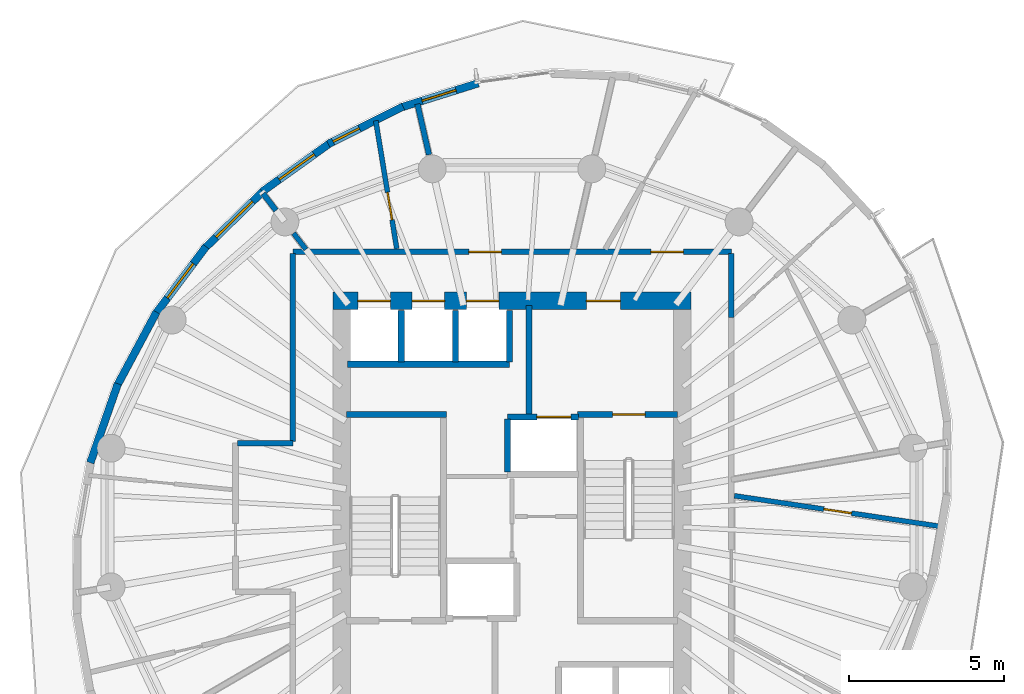
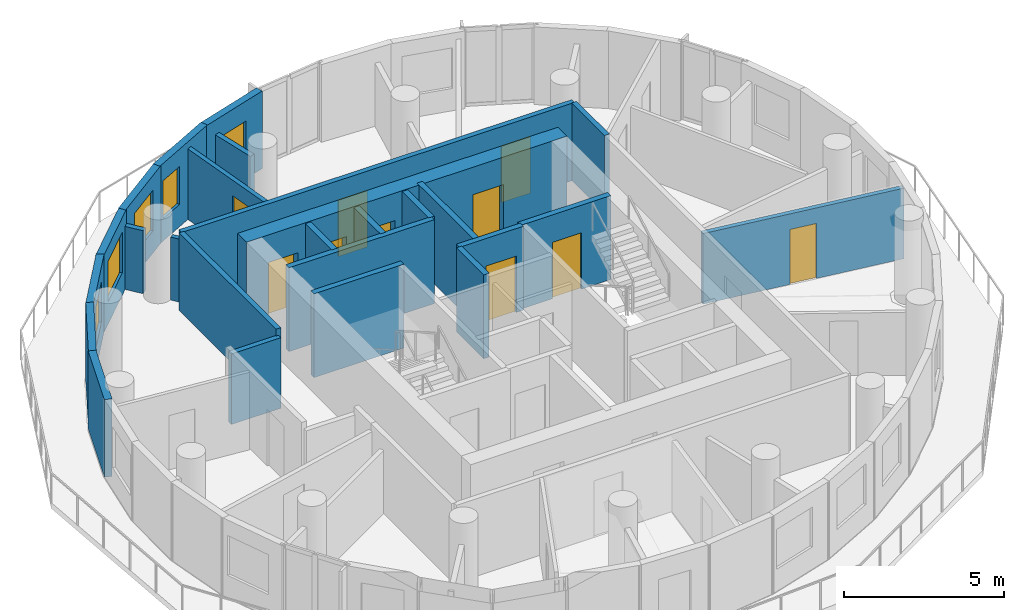
# One storey, part 6 of 10: 26 walls, 11 doors, 4 windows, 15 openings.
"""IFC4 building model written with IfcOpenShell, lengths in metres."""

from ifc_helpers import new_model, si_unit, direction, frame, frame_2d, origin, place, context, subcontext, project, spatial, rectangle, extrude, material, layer, layer_set, type_object, element, fill, save


model = new_model("IFC4")

# Units and contexts
model_context = context("Model", 3, precision=1e-05, world=origin(), true_north=direction((0.0, 1.0)))
body_context = subcontext(model_context, "Body", "Model", "MODEL_VIEW")
ifc_project = project(units=[si_unit("LENGTHUNIT", "METRE"), si_unit("AREAUNIT", "SQUARE_METRE"), si_unit("VOLUMEUNIT", "CUBIC_METRE"), si_unit("PLANEANGLEUNIT", "RADIAN"), si_unit("MASSUNIT", "GRAM", prefix="KILO")], contexts=[model_context])

# Site, building, storey
site_placement = place(None, origin())
site = spatial("IfcSite", under=ifc_project, at=site_placement, CompositionType="ELEMENT")
building_placement = place(site_placement, origin())
building = spatial("IfcBuilding", under=site, at=building_placement, Name="Veldorim Arch Residences", CompositionType="ELEMENT")
storey_placement = place(building_placement, frame((0.0, 0.0, 195.0400390625)))
storey = spatial("IfcBuildingStorey", under=building, at=storey_placement, Name="L58", CompositionType="ELEMENT", Elevation=195.0400390625)

# Walls
ifc_material_1 = material(Name="Lightweight Masonry Block & Gypsum", Category="masonry")
ifc_layer_1 = layer(ifc_material_1, 0.179931640625, Name="Compartment & Corridor Fire-Rated Party Wall 180")
ifc_layer_set_1 = layer_set([ifc_layer_1], Name="Lightweight Masonry Block & Gypsum")
wall_type_1 = type_object("IfcWallType", Name="Compartment & Corridor Fire-Rated Party Wall 180", PredefinedType="PARTITIONING", material=ifc_layer_set_1)
wall_1_placement = place(storey_placement, frame((29.320068359375, 35.717529296875, 0.0), z_axis=(0.0, 0.0, 1.0), x_axis=(-0.222978827263, 0.97482328788, 0.0)))
element("IfcWall", 1, at=wall_1_placement, inside=storey, type_object=wall_type_1, Name="L58 interior wall WL-PIER-L58-05", PredefinedType="PARTITIONING", context=body_context, shape_type="SweptSolid", body=[
    extrude(rectangle(XDim=1.678466796875, YDim=0.179931640625, at=frame_2d((0.83935546875, 0.0))), origin(), (0.0, 0.0, 1.0), 2.4033203125),
])
wall_2_placement = place(storey_placement, frame((24.380126953125, 33.91796875, 0.0), z_axis=(0.0, 0.0, 1.0), x_axis=(-0.60904199592, 0.793137974885, 0.0)))
element("IfcWall", 2, at=wall_2_placement, inside=storey, type_object=wall_type_1, Name="L58 interior wall WL-PIER-L58-06", PredefinedType="PARTITIONING", context=body_context, shape_type="SweptSolid", body=[
    extrude(rectangle(XDim=0.688232421875, YDim=0.179931640625, at=frame_2d((0.34423828125, 0.0))), origin(), (0.0, 0.0, 1.0), 2.4033203125),
])

# Wall, openings, doors
wall_3_placement = place(storey_placement, frame((24.919921875, 32.580078125, 0.0), z_axis=(0.0, 0.0, 1.0), x_axis=(1.0, 0.0, 0.0)))
wall_3 = element("IfcWall", 3, at=wall_3_placement, inside=storey, type_object=wall_type_1, Name="L58 interior wall WL-RES-L58-004", PredefinedType="PARTITIONING", context=body_context, shape_type="SweptSolid", body=[
    extrude(rectangle(XDim=14.16015625, YDim=0.179931640625, at=frame_2d((7.080078125, 0.0))), origin(), (0.0, 0.0, 1.0), 2.955078125),
])
opening_1_placement = place(wall_3_placement, frame((11.562744140625, 0.0, 0.0)))
opening_1 = element("IfcOpeningElement", 4, at=opening_1_placement, cuts=wall_3, Name="Opening DR-FLT", PredefinedType="OPENING", context=body_context, shape_type="SweptSolid", body=[
    extrude(rectangle(XDim=1.050048828125, YDim=2.14990234375, at=frame_2d((0.52490234375, 1.074951171875))), frame((0.0, 0.099853515625, 0.0), z_axis=(0.0, -1.0, 0.0), x_axis=(1.0, 0.0, 0.0)), (0.0, 0.0, 1.0), 0.199951171875),
])
opening_2_placement = place(wall_3_placement, frame((5.684326171875, 0.0, 0.0)))
opening_2 = element("IfcOpeningElement", 5, at=opening_2_placement, cuts=wall_3, Name="Opening DR-FLT", PredefinedType="OPENING", context=body_context, shape_type="SweptSolid", body=[
    extrude(rectangle(XDim=1.050048828125, YDim=2.14990234375, at=frame_2d((0.52490234375, 1.074951171875))), frame((0.0, 0.099853515625, 0.0), z_axis=(0.0, -1.0, 0.0), x_axis=(1.0, 0.0, 0.0)), (0.0, 0.0, 1.0), 0.199951171875),
])
ifc_material_2 = material(Name="Fire-Rated Timber", Category="wood")
door_type_1 = type_object("IfcDoorType", Name="Apartment Entrance Solid-Core Fire Door 1050x2150", OperationType="SINGLE_SWING_LEFT", PredefinedType="DOOR", material=ifc_material_2)
door_1_placement = place(opening_1_placement, origin())
door_1 = element("IfcDoor", 6, at=door_1_placement, inside=storey, type_object=door_type_1, Name="L58 interior door DR-RES-L58-007", OperationType="SINGLE_SWING_LEFT", OverallHeight=2.14990234375, OverallWidth=1.050048828125, PredefinedType="DOOR", context=body_context, shape_type="SweptSolid", body=[
    extrude(rectangle(XDim=1.050048828125, YDim=2.14990234375, at=frame_2d((0.52490234375, 1.074951171875))), frame((0.0, 0.02490234375, 0.0), z_axis=(0.0, -1.0, 0.0), x_axis=(1.0, 0.0, 0.0)), (0.0, 0.0, 1.0), 0.050048828125),
])
fill(opening_1, door_1)
door_2_placement = place(opening_2_placement, origin())
door_2 = element("IfcDoor", 7, at=door_2_placement, inside=storey, type_object=door_type_1, Name="L58 interior door DR-RES-L58-011", OperationType="SINGLE_SWING_LEFT", OverallHeight=2.14990234375, OverallWidth=1.050048828125, PredefinedType="DOOR", context=body_context, shape_type="SweptSolid", body=[
    extrude(rectangle(XDim=1.050048828125, YDim=2.14990234375, at=frame_2d((0.52490234375, 1.074951171875))), frame((0.0, 0.02490234375, 0.0), z_axis=(0.0, -1.0, 0.0), x_axis=(1.0, 0.0, 0.0)), (0.0, 0.0, 1.0), 0.050048828125),
])
fill(opening_2, door_2)

# Walls
wall_4_placement = place(storey_placement, frame((39.080078125, 32.52001953125, 0.0), z_axis=(0.0, 0.0, 1.0), x_axis=(0.0, -1.0, 0.0)))
element("IfcWall", 8, at=wall_4_placement, inside=storey, type_object=wall_type_1, Name="L58 interior wall WL-RES-L58-005", PredefinedType="PARTITIONING", context=body_context, shape_type="SweptSolid", body=[
    extrude(rectangle(XDim=2.058837890625, YDim=0.179931640625, at=frame_2d((1.029296875, 0.0))), origin(), (0.0, 0.0, 1.0), 2.955078125),
])
wall_5_placement = place(storey_placement, frame((23.1298828125, 26.39990234375, 0.0), z_axis=(0.0, 0.0, 1.0), x_axis=(1.0, 0.0, 0.0)))
element("IfcWall", 9, at=wall_5_placement, inside=storey, type_object=wall_type_1, Name="L58 interior wall WL-RES-L58-009", PredefinedType="PARTITIONING", context=body_context, shape_type="SweptSolid", body=[
    extrude(rectangle(XDim=1.7900390625, YDim=0.179931640625, at=frame_2d((0.89501953125, 0.0))), origin(), (0.0, 0.0, 1.0), 2.69189453125),
])
wall_6_placement = place(storey_placement, frame((24.919921875, 26.4599609375, 0.0), z_axis=(0.0, 0.0, 1.0), x_axis=(0.0, 1.0, 0.0)))
element("IfcWall", 10, at=wall_6_placement, inside=storey, type_object=wall_type_1, Name="L58 interior wall WL-RES-L58-010", PredefinedType="PARTITIONING", context=body_context, shape_type="SweptSolid", body=[
    extrude(rectangle(XDim=6.06005859375, YDim=0.179931640625, at=frame_2d((3.030029296875, 0.0))), origin(), (0.0, 0.0, 1.0), 2.955078125),
])
ifc_material_3 = material(Name="Concrete C50/60", Category="concrete")
ifc_layer_2 = layer(ifc_material_3, 0.199951171875, Name="Core Stair & Lift Shaft Enclosure Wall 200")
ifc_layer_set_2 = layer_set([ifc_layer_2], Name="Concrete C50/60")
wall_type_2 = type_object("IfcWallType", Name="Core Stair & Lift Shaft Enclosure Wall 200", PredefinedType="SHEAR", material=ifc_layer_set_2)
wall_7_placement = place(storey_placement, frame((26.64990234375, 27.330078125, 0.0), z_axis=(0.0, 0.0, 1.0), x_axis=(1.0, 0.0, 0.0)))
element("IfcWall", 11, at=wall_7_placement, inside=storey, type_object=wall_type_2, Name="L58 shaft wall WL-SHF-L58-ST1-N", PredefinedType="SHEAR", context=body_context, shape_type="SweptSolid", body=[
    extrude(rectangle(XDim=3.239990234375, YDim=0.199951171875, at=frame_2d((1.6201171875, 0.0))), origin(), (0.0, 0.0, 1.0), 3.199951171875),
])

# Wall, opening, door
wall_8_placement = place(storey_placement, frame((34.110107421875, 27.330078125, 0.0), z_axis=(0.0, 0.0, 1.0), x_axis=(1.0, 0.0, 0.0)))
wall_8 = element("IfcWall", 12, at=wall_8_placement, inside=storey, type_object=wall_type_2, Name="L58 shaft wall WL-SHF-L58-ST2-N", PredefinedType="SHEAR", context=body_context, shape_type="SweptSolid", body=[
    extrude(rectangle(XDim=3.239990234375, YDim=0.199951171875, at=frame_2d((1.6201171875, 0.0))), origin(), (0.0, 0.0, 1.0), 3.199951171875),
])
opening_3_placement = place(wall_8_placement, frame((1.135009765625, 0.0, 0.0)))
opening_3 = element("IfcOpeningElement", 13, at=opening_3_placement, cuts=wall_8, Name="Opening DR-ST", PredefinedType="OPENING", context=body_context, shape_type="SweptSolid", body=[
    extrude(rectangle(XDim=1.050048828125, YDim=2.14990234375, at=frame_2d((0.52490234375, 1.074951171875))), frame((0.0, 0.10986328125, 0.0), z_axis=(0.0, -1.0, 0.0), x_axis=(1.0, 0.0, 0.0)), (0.0, 0.0, 1.0), 0.219970703125),
])
ifc_material_4 = material(Name="Fire-Rated Steel", Category="steel")
door_type_2 = type_object("IfcDoorType", Name="Exit Staircase Self-Closing Fire Door 1050x2150", OperationType="SINGLE_SWING_LEFT", PredefinedType="DOOR", material=ifc_material_4)
door_3_placement = place(opening_3_placement, origin())
door_3 = element("IfcDoor", 14, at=door_3_placement, inside=storey, type_object=door_type_2, Name="L58 interior door DR-L58-ST2", OperationType="SINGLE_SWING_RIGHT", OverallHeight=2.14990234375, OverallWidth=1.050048828125, PredefinedType="DOOR", context=body_context, shape_type="SweptSolid", body=[
    extrude(rectangle(XDim=1.050048828125, YDim=2.14990234375, at=frame_2d((0.52490234375, 1.074951171875))), frame((0.0, 0.02490234375, 0.0), z_axis=(0.0, -1.0, 0.0), x_axis=(1.0, 0.0, 0.0)), (0.0, 0.0, 1.0), 0.050048828125),
])
fill(opening_3, door_3)

# Wall
wall_9_placement = place(storey_placement, frame((32.550048828125, 27.35009765625, 0.0), z_axis=(0.0, 0.0, 1.0), x_axis=(0.0, 1.0, 0.0)))
element("IfcWall", 15, at=wall_9_placement, inside=storey, type_object=wall_type_2, Name="L58 shaft wall WL-FFL2-L58-W", PredefinedType="SHEAR", context=body_context, shape_type="SweptSolid", body=[
    extrude(rectangle(XDim=3.5, YDim=0.199951171875, at=frame_2d((1.75, 0.0))), origin(), (0.0, 0.0, 1.0), 3.199951171875),
])

# Wall, opening, door
wall_10_placement = place(storey_placement, frame((31.85009765625, 27.25, 0.0), z_axis=(0.0, 0.0, 1.0), x_axis=(1.0, 0.0, 0.0)))
wall_10 = element("IfcWall", 16, at=wall_10_placement, inside=storey, type_object=wall_type_2, Name="L58 shaft wall WL-FL02-L58-N", PredefinedType="SHEAR", context=body_context, shape_type="SweptSolid", body=[
    extrude(rectangle(XDim=2.2998046875, YDim=0.199951171875, at=frame_2d((1.14990234375, 0.0))), origin(), (0.0, 0.0, 1.0), 3.199951171875),
])
opening_4_placement = place(wall_10_placement, frame((0.949951171875, 0.0, 0.0)))
opening_4 = element("IfcOpeningElement", 17, at=opening_4_placement, cuts=wall_10, Name="Opening LD-FF", PredefinedType="OPENING", context=body_context, shape_type="SweptSolid", body=[
    extrude(rectangle(XDim=1.10009765625, YDim=2.14990234375, at=frame_2d((0.550048828125, 1.074951171875))), frame((0.0, 0.10986328125, 0.0), z_axis=(0.0, -1.0, 0.0), x_axis=(1.0, 0.0, 0.0)), (0.0, 0.0, 1.0), 0.219970703125),
])
ifc_material_5 = material(Name="Stainless Steel", Category="steel")
door_type_3 = type_object("IfcDoorType", Name="Firefighting Lift Bi-Parting Sliding Landing Door 1100x2150", OperationType="DOUBLE_DOOR_SLIDING", PredefinedType="DOOR", material=ifc_material_5)
door_4_placement = place(opening_4_placement, origin())
door_4 = element("IfcDoor", 18, at=door_4_placement, inside=storey, type_object=door_type_3, Name="L58 lift landing door LD-L58-FL02", OperationType="DOUBLE_DOOR_SLIDING", OverallHeight=2.14990234375, OverallWidth=1.10009765625, PredefinedType="DOOR", context=body_context, shape_type="SweptSolid", body=[
    extrude(rectangle(XDim=1.10009765625, YDim=2.14990234375, at=frame_2d((0.550048828125, 1.074951171875))), frame((0.0, 0.02490234375, 0.0), z_axis=(0.0, -1.0, 0.0), x_axis=(1.0, 0.0, 0.0)), (0.0, 0.0, 1.0), 0.050048828125),
])
fill(opening_4, door_4)

# Walls
wall_11_placement = place(storey_placement, frame((31.85009765625, 25.469970703125, 0.0), z_axis=(0.0, 0.0, 1.0), x_axis=(0.0, 1.0, 0.0)))
element("IfcWall", 19, at=wall_11_placement, inside=storey, type_object=wall_type_2, Name="L58 shaft wall WL-FL02-L58-W", PredefinedType="SHEAR", context=body_context, shape_type="SweptSolid", body=[
    extrude(rectangle(XDim=1.7099609375, YDim=0.199951171875, at=frame_2d((0.85498046875, 0.0))), origin(), (0.0, 0.0, 1.0), 3.199951171875),
])
wall_12_placement = place(storey_placement, frame((26.679931640625, 28.949951171875, 0.0), z_axis=(0.0, 0.0, 1.0), x_axis=(1.0, 0.0, 0.0)))
element("IfcWall", 20, at=wall_12_placement, inside=storey, type_object=wall_type_2, Name="L58 shaft wall WL-B3-L58-S", PredefinedType="SHEAR", context=body_context, shape_type="SweptSolid", body=[
    extrude(rectangle(XDim=5.239990234375, YDim=0.199951171875, at=frame_2d((2.6201171875, 0.0))), origin(), (0.0, 0.0, 1.0), 3.199951171875),
])
for number, where, z_axis, x_axis, name in (
    (21, (31.919921875, 29.02001953125, 0.0), (0.0, 0.0, 1.0), (0.0, 1.0, 0.0), "L58 shaft wall WL-B3-L58-E"),
    (22, (28.425048828125, 29.02001953125, 0.0), (0.0, 0.0, 1.0), (0.0, 1.0, 0.0), "L58 shaft wall WL-B3-L58-D1"),
    (23, (30.175048828125, 29.02001953125, 0.0), (0.0, 0.0, 1.0), (0.0, 1.0, 0.0), "L58 shaft wall WL-B3-L58-D2"),
):
    element("IfcWall", number, at=place(storey_placement, frame(where, z_axis=z_axis, x_axis=x_axis)), inside=storey, type_object=wall_type_2, Name=name, PredefinedType="SHEAR", context=body_context, shape_type="SweptSolid", body=[
        extrude(rectangle(XDim=1.659912109375, YDim=0.199951171875, at=frame_2d((0.830078125, 0.0))), origin(), (0.0, 0.0, 1.0), 3.199951171875),
    ])

# Wall, opening, door
ifc_material_6 = material(Name="Precast concrete C40/50", Category="concrete")
ifc_layer_3 = layer(ifc_material_6, 0.25, Name="Tower Terracotta Spandrel & Pier Wall 250")
ifc_layer_set_3 = layer_set([ifc_layer_3], Name="Precast concrete C40/50")
wall_type_3 = type_object("IfcWallType", Name="Tower Terracotta Spandrel & Pier Wall 250", PredefinedType="SOLIDWALL", material=ifc_layer_set_3)
wall_13_placement = place(storey_placement, frame((28.379150390625, 37.234130859375, 0.0), z_axis=(0.0, 0.0, 1.0), x_axis=(0.954307768746, 0.298825505122, 0.0)))
wall_13 = element("IfcWall", 24, at=wall_13_placement, inside=storey, type_object=wall_type_3, Name="L58 terracotta facade wall 06", PredefinedType="SOLIDWALL", context=body_context, shape_type="SweptSolid", body=[
    extrude(rectangle(XDim=2.651123046875, YDim=0.25, at=frame_2d((1.32568359375, 0.0))), origin(), (0.0, 0.0, 1.0), 2.9599609375),
])
opening_5_placement = place(wall_13_placement, frame((0.7509765625, 0.0, 0.0)))
opening_5 = element("IfcOpeningElement", 25, at=opening_5_placement, cuts=wall_13, Name="Opening BL-DR", PredefinedType="OPENING", context=body_context, shape_type="SweptSolid", body=[
    extrude(rectangle(XDim=1.14990234375, YDim=2.199951171875, at=frame_2d((0.574951171875, 1.10009765625))), frame((0.0, 0.135009765625, 0.0), z_axis=(0.0, -1.0, 0.0), x_axis=(1.0, 0.0, 0.0)), (0.0, 0.0, 1.0), 0.27001953125),
])
ifc_material_7 = material(Name="Aluminium & Low-E Glass", Category="aluminium")
door_type_4 = type_object("IfcDoorType", Name="Glazed Planted Balcony Door 1150x2200", OperationType="SINGLE_SWING_LEFT", PredefinedType="DOOR", material=ifc_material_7)
door_5_placement = place(opening_5_placement, origin())
door_5 = element("IfcDoor", 26, at=door_5_placement, inside=storey, type_object=door_type_4, Name="L58 glazed outdoor terrace door BALC-1", OperationType="SINGLE_SWING_RIGHT", OverallHeight=2.199951171875, OverallWidth=1.14990234375, PredefinedType="DOOR", context=body_context, shape_type="SweptSolid", body=[
    extrude(rectangle(XDim=1.14990234375, YDim=2.199951171875, at=frame_2d((0.574951171875, 1.10009765625))), frame((0.0, 0.02490234375, 0.0), z_axis=(0.0, -1.0, 0.0), x_axis=(1.0, 0.0, 0.0)), (0.0, 0.0, 1.0), 0.050048828125),
])
fill(opening_5, door_5)

# Wall, opening, window
wall_14_placement = place(storey_placement, frame((26.06640625, 36.0634765625, 0.0), z_axis=(0.0, 0.0, 1.0), x_axis=(0.893757522153, 0.448550433724, 0.0)))
wall_14 = element("IfcWall", 27, at=wall_14_placement, inside=storey, type_object=wall_type_3, Name="L58 terracotta facade wall 07", PredefinedType="SOLIDWALL", context=body_context, shape_type="SweptSolid", body=[
    extrude(rectangle(XDim=2.701904296875, YDim=0.25, at=frame_2d((1.35107421875, 0.0))), origin(), (0.0, 0.0, 1.0), 2.9599609375),
])
opening_6_placement = place(wall_14_placement, frame((0.175048828125, 0.0, 0.85009765625)))
opening_6 = element("IfcOpeningElement", 28, at=opening_6_placement, cuts=wall_14, Name="Opening WN-05", PredefinedType="OPENING", context=body_context, shape_type="SweptSolid", body=[
    extrude(rectangle(XDim=0.949951171875, YDim=1.449951171875, at=frame_2d((0.47509765625, 0.72509765625))), frame((0.0, 0.135009765625, 0.0), z_axis=(0.0, -1.0, 0.0), x_axis=(1.0, 0.0, 0.0)), (0.0, 0.0, 1.0), 0.27001953125),
])
ifc_material_8 = material(Name="Laminated Low-E Glass", Category="glass")
window_type_1 = type_object("IfcWindowType", Name="Residential Compact Casement Window 950x1450", PartitioningType="SINGLE_PANEL", PredefinedType="WINDOW", material=ifc_material_8)
window_1_placement = place(opening_6_placement, origin())
window_1 = element("IfcWindow", 29, at=window_1_placement, inside=storey, type_object=window_type_1, Name="L58 solar-control facade window 07", OverallHeight=1.449951171875, OverallWidth=0.949951171875, PartitioningType="SINGLE_PANEL", PredefinedType="WINDOW", context=body_context, shape_type="SweptSolid", body=[
    extrude(rectangle(XDim=0.949951171875, YDim=1.449951171875, at=frame_2d((0.47509765625, 0.72509765625))), frame((0.0, 0.030029296875, 0.0), z_axis=(0.0, -1.0, 0.0), x_axis=(1.0, 0.0, 0.0)), (0.0, 0.0, 1.0), 0.06005859375),
])
fill(opening_6, window_1)

wall_15_placement = place(storey_placement, frame((23.93359375, 34.525634765625, 0.0), z_axis=(0.0, 0.0, 1.0), x_axis=(0.812997900305, 0.58226661771, 0.0)))
wall_15 = element("IfcWall", 30, at=wall_15_placement, inside=storey, type_object=wall_type_3, Name="L58 terracotta facade wall 08", PredefinedType="SOLIDWALL", context=body_context, shape_type="SweptSolid", body=[
    extrude(rectangle(XDim=2.738525390625, YDim=0.25, at=frame_2d((1.369140625, 0.0))), origin(), (0.0, 0.0, 1.0), 2.9599609375),
])
opening_7_placement = place(wall_15_placement, frame((0.6689453125, 0.0, 0.85009765625)))
opening_7 = element("IfcOpeningElement", 31, at=opening_7_placement, cuts=wall_15, Name="Opening WN-02", PredefinedType="OPENING", context=body_context, shape_type="SweptSolid", body=[
    extrude(rectangle(XDim=1.39990234375, YDim=1.550048828125, at=frame_2d((0.699951171875, 0.77490234375))), frame((0.0, 0.135009765625, 0.0), z_axis=(0.0, -1.0, 0.0), x_axis=(1.0, 0.0, 0.0)), (0.0, 0.0, 1.0), 0.27001953125),
])
ifc_material_9 = material(Name="Laminated Low-E Glass", Category="glass")
window_type_2 = type_object("IfcWindowType", Name="Residential Casement Window 1400x1550", PartitioningType="SINGLE_PANEL", PredefinedType="WINDOW", material=ifc_material_9)
window_2_placement = place(opening_7_placement, origin())
window_2 = element("IfcWindow", 32, at=window_2_placement, inside=storey, type_object=window_type_2, Name="L58 solar-control facade window 08", OverallHeight=1.550048828125, OverallWidth=1.39990234375, PartitioningType="SINGLE_PANEL", PredefinedType="WINDOW", context=body_context, shape_type="SweptSolid", body=[
    extrude(rectangle(XDim=1.39990234375, YDim=1.550048828125, at=frame_2d((0.699951171875, 0.77490234375))), frame((0.0, 0.030029296875, 0.0), z_axis=(0.0, -1.0, 0.0), x_axis=(1.0, 0.0, 0.0)), (0.0, 0.0, 1.0), 0.06005859375),
])
fill(opening_7, window_2)

wall_16_placement = place(storey_placement, frame((22.04541015625, 32.6669921875, 0.0), z_axis=(0.0, 0.0, 1.0), x_axis=(0.71485422762, 0.699273503898, 0.0)))
wall_16 = element("IfcWall", 33, at=wall_16_placement, inside=storey, type_object=wall_type_3, Name="L58 terracotta facade wall 09", PredefinedType="SOLIDWALL", context=body_context, shape_type="SweptSolid", body=[
    extrude(rectangle(XDim=2.7578125, YDim=0.25, at=frame_2d((1.37890625, 0.0))), origin(), (0.0, 0.0, 1.0), 2.9599609375),
])
opening_8_placement = place(wall_16_placement, frame((0.553955078125, 0.0, 0.85009765625)))
opening_8 = element("IfcOpeningElement", 34, at=opening_8_placement, cuts=wall_16, Name="Opening WN-03", PredefinedType="OPENING", context=body_context, shape_type="SweptSolid", body=[
    extrude(rectangle(XDim=1.64990234375, YDim=1.550048828125, at=frame_2d((0.824951171875, 0.77490234375))), frame((0.0, 0.135009765625, 0.0), z_axis=(0.0, -1.0, 0.0), x_axis=(1.0, 0.0, 0.0)), (0.0, 0.0, 1.0), 0.27001953125),
])
ifc_material_10 = material(Name="Laminated Low-E Glass", Category="glass")
window_type_3 = type_object("IfcWindowType", Name="Residential Wide Window 1650x1550", PartitioningType="SINGLE_PANEL", PredefinedType="WINDOW", material=ifc_material_10)
window_3_placement = place(opening_8_placement, origin())
window_3 = element("IfcWindow", 35, at=window_3_placement, inside=storey, type_object=window_type_3, Name="L58 solar-control facade window 09", OverallHeight=1.550048828125, OverallWidth=1.64990234375, PartitioningType="SINGLE_PANEL", PredefinedType="WINDOW", context=body_context, shape_type="SweptSolid", body=[
    extrude(rectangle(XDim=1.64990234375, YDim=1.550048828125, at=frame_2d((0.824951171875, 0.77490234375))), frame((0.0, 0.030029296875, 0.0), z_axis=(0.0, -1.0, 0.0), x_axis=(1.0, 0.0, 0.0)), (0.0, 0.0, 1.0), 0.06005859375),
])
fill(opening_8, window_3)

wall_17_placement = place(storey_placement, frame((20.4599609375, 30.5439453125, 0.0), z_axis=(0.0, 0.0, 1.0), x_axis=(0.600877762795, 0.799340924874, 0.0)))
wall_17 = element("IfcWall", 36, at=wall_17_placement, inside=storey, type_object=wall_type_3, Name="L58 terracotta facade wall 10", PredefinedType="SOLIDWALL", context=body_context, shape_type="SweptSolid", body=[
    extrude(rectangle(XDim=2.758056640625, YDim=0.25, at=frame_2d((1.37890625, 0.0))), origin(), (0.0, 0.0, 1.0), 2.9599609375),
])
opening_9_placement = place(wall_17_placement, frame((0.678955078125, 0.0, 0.85009765625)))
opening_9 = element("IfcOpeningElement", 37, at=opening_9_placement, cuts=wall_17, Name="Opening WN-02", PredefinedType="OPENING", context=body_context, shape_type="SweptSolid", body=[
    extrude(rectangle(XDim=1.39990234375, YDim=1.550048828125, at=frame_2d((0.699951171875, 0.77490234375))), frame((0.0, 0.135009765625, 0.0), z_axis=(0.0, -1.0, 0.0), x_axis=(1.0, 0.0, 0.0)), (0.0, 0.0, 1.0), 0.27001953125),
])
window_4_placement = place(opening_9_placement, origin())
window_4 = element("IfcWindow", 38, at=window_4_placement, inside=storey, type_object=window_type_2, Name="L58 solar-control facade window 10", OverallHeight=1.550048828125, OverallWidth=1.39990234375, PartitioningType="SINGLE_PANEL", PredefinedType="WINDOW", context=body_context, shape_type="SweptSolid", body=[
    extrude(rectangle(XDim=1.39990234375, YDim=1.550048828125, at=frame_2d((0.699951171875, 0.77490234375))), frame((0.0, 0.030029296875, 0.0), z_axis=(0.0, -1.0, 0.0), x_axis=(1.0, 0.0, 0.0)), (0.0, 0.0, 1.0), 0.06005859375),
])
fill(opening_9, window_4)

# Walls
wall_18_placement = place(storey_placement, frame((19.225830078125, 28.221435546875, 0.0), z_axis=(0.0, 0.0, 1.0), x_axis=(0.472035862223, 0.88157934684, 0.0)))
element("IfcWall", 39, at=wall_18_placement, inside=storey, type_object=wall_type_3, Name="L58 terracotta facade wall 11", PredefinedType="SOLIDWALL", context=body_context, shape_type="SweptSolid", body=[
    extrude(rectangle(XDim=2.738525390625, YDim=0.25, at=frame_2d((1.369140625, 0.0))), origin(), (0.0, 0.0, 1.0), 2.9599609375),
])
wall_19_placement = place(storey_placement, frame((18.380859375, 25.770263671875, 0.0), z_axis=(0.0, 0.0, 1.0), x_axis=(0.329021781096, 0.94432233245, 0.0)))
element("IfcWall", 40, at=wall_19_placement, inside=storey, type_object=wall_type_3, Name="L58 terracotta facade wall 12", PredefinedType="SOLIDWALL", context=body_context, shape_type="SweptSolid", body=[
    extrude(rectangle(XDim=2.70166015625, YDim=0.25, at=frame_2d((1.350830078125, 0.0))), origin(), (0.0, 0.0, 1.0), 2.9599609375),
])

# Wall, openings, doors
ifc_material_11 = material(Name="Concrete C50/60", Category="concrete")
ifc_layer_4 = layer(ifc_material_11, 0.5, Name="Upper Central Core Shear Wall 560")
ifc_layer_set_4 = layer_set([ifc_layer_4], Name="Concrete C50/60")
wall_type_4 = type_object("IfcWallType", Name="Upper Central Core Shear Wall 560", PredefinedType="SHEAR", material=ifc_layer_set_4)
wall_20_placement = place(storey_placement, frame((26.219970703125, 31.0, 0.0), z_axis=(0.0, 0.0, 1.0), x_axis=(1.0, 0.0, 0.0)))
wall_20 = element("IfcWall", 41, at=wall_20_placement, inside=storey, type_object=wall_type_4, Name="L58 central core north shear wall", PredefinedType="SHEAR", context=body_context, shape_type="SweptSolid", body=[
    extrude(rectangle(XDim=11.56005859375, YDim=0.56005859375, at=frame_2d((5.780029296875, 0.0))), origin(), (0.0, 0.0, 1.0), 3.199951171875),
])
opening_10_placement = place(wall_20_placement, frame((8.179931640625, 0.0, 0.0)))
opening_10 = element("IfcOpeningElement", 42, at=opening_10_placement, cuts=wall_20, Name="Opening DR-FFL", PredefinedType="OPENING", context=body_context, shape_type="SweptSolid", body=[
    extrude(rectangle(XDim=1.10009765625, YDim=2.14990234375, at=frame_2d((0.550048828125, 1.074951171875))), frame((0.0, 0.2900390625, 0.0), z_axis=(0.0, -1.0, 0.0), x_axis=(1.0, 0.0, 0.0)), (0.0, 0.0, 1.0), 0.580078125),
])
opening_11_placement = place(wall_20_placement, frame((0.804931640625, 0.0, 0.0)))
opening_11 = element("IfcOpeningElement", 43, at=opening_11_placement, cuts=wall_20, Name="Opening LD-PS", PredefinedType="OPENING", context=body_context, shape_type="SweptSolid", body=[
    extrude(rectangle(XDim=1.050048828125, YDim=2.14990234375, at=frame_2d((0.52490234375, 1.074951171875))), frame((0.0, 0.2900390625, 0.0), z_axis=(0.0, -1.0, 0.0), x_axis=(1.0, 0.0, 0.0)), (0.0, 0.0, 1.0), 0.580078125),
])
opening_12_placement = place(wall_20_placement, frame((2.554931640625, 0.0, 0.0)))
opening_12 = element("IfcOpeningElement", 44, at=opening_12_placement, cuts=wall_20, Name="Opening LD-PS", PredefinedType="OPENING", context=body_context, shape_type="SweptSolid", body=[
    extrude(rectangle(XDim=1.050048828125, YDim=2.14990234375, at=frame_2d((0.52490234375, 1.074951171875))), frame((0.0, 0.2900390625, 0.0), z_axis=(0.0, -1.0, 0.0), x_axis=(1.0, 0.0, 0.0)), (0.0, 0.0, 1.0), 0.580078125),
])
opening_13_placement = place(wall_20_placement, frame((4.304931640625, 0.0, 0.0)))
opening_13 = element("IfcOpeningElement", 45, at=opening_13_placement, cuts=wall_20, Name="Opening LD-PS", PredefinedType="OPENING", context=body_context, shape_type="SweptSolid", body=[
    extrude(rectangle(XDim=1.050048828125, YDim=2.14990234375, at=frame_2d((0.52490234375, 1.074951171875))), frame((0.0, 0.2900390625, 0.0), z_axis=(0.0, -1.0, 0.0), x_axis=(1.0, 0.0, 0.0)), (0.0, 0.0, 1.0), 0.580078125),
])
ifc_material_12 = material(Name="Fire-Rated Steel & Vision Glass", Category="steel")
door_type_5 = type_object("IfcDoorType", Name="Firefighting Lobby Smoke-Stop Fire Door 1100x2150", OperationType="SINGLE_SWING_LEFT", PredefinedType="DOOR", material=ifc_material_12)
door_6_placement = place(opening_10_placement, origin())
door_6 = element("IfcDoor", 46, at=door_6_placement, inside=storey, type_object=door_type_5, Name="L58 interior door DR-L58-FFL2", OperationType="SINGLE_SWING_LEFT", OverallHeight=2.14990234375, OverallWidth=1.10009765625, PredefinedType="DOOR", context=body_context, shape_type="SweptSolid", body=[
    extrude(rectangle(XDim=1.10009765625, YDim=2.14990234375, at=frame_2d((0.550048828125, 1.074951171875))), frame((0.0, 0.02490234375, 0.0), z_axis=(0.0, -1.0, 0.0), x_axis=(1.0, 0.0, 0.0)), (0.0, 0.0, 1.0), 0.050048828125),
])
fill(opening_10, door_6)
ifc_material_13 = material(Name="Stainless Steel", Category="steel")
door_type_6 = type_object("IfcDoorType", Name="Passenger Lift Bi-Parting Sliding Landing Door 1050x2150", OperationType="DOUBLE_DOOR_SLIDING", PredefinedType="DOOR", material=ifc_material_13)
door_7_placement = place(opening_11_placement, origin())
door_7 = element("IfcDoor", 47, at=door_7_placement, inside=storey, type_object=door_type_6, Name="L58 lift landing door LD-L58-PL-08", OperationType="DOUBLE_DOOR_SLIDING", OverallHeight=2.14990234375, OverallWidth=1.050048828125, PredefinedType="DOOR", context=body_context, shape_type="SweptSolid", body=[
    extrude(rectangle(XDim=1.050048828125, YDim=2.14990234375, at=frame_2d((0.52490234375, 1.074951171875))), frame((0.0, 0.02490234375, 0.0), z_axis=(0.0, -1.0, 0.0), x_axis=(1.0, 0.0, 0.0)), (0.0, 0.0, 1.0), 0.050048828125),
])
fill(opening_11, door_7)
door_8_placement = place(opening_12_placement, origin())
door_8 = element("IfcDoor", 48, at=door_8_placement, inside=storey, type_object=door_type_6, Name="L58 lift landing door LD-L58-PL-09", OperationType="DOUBLE_DOOR_SLIDING", OverallHeight=2.14990234375, OverallWidth=1.050048828125, PredefinedType="DOOR", context=body_context, shape_type="SweptSolid", body=[
    extrude(rectangle(XDim=1.050048828125, YDim=2.14990234375, at=frame_2d((0.52490234375, 1.074951171875))), frame((0.0, 0.02490234375, 0.0), z_axis=(0.0, -1.0, 0.0), x_axis=(1.0, 0.0, 0.0)), (0.0, 0.0, 1.0), 0.050048828125),
])
fill(opening_12, door_8)
door_9_placement = place(opening_13_placement, origin())
door_9 = element("IfcDoor", 49, at=door_9_placement, inside=storey, type_object=door_type_6, Name="L58 lift landing door LD-L58-PL-10", OperationType="DOUBLE_DOOR_SLIDING", OverallHeight=2.14990234375, OverallWidth=1.050048828125, PredefinedType="DOOR", context=body_context, shape_type="SweptSolid", body=[
    extrude(rectangle(XDim=1.050048828125, YDim=2.14990234375, at=frame_2d((0.52490234375, 1.074951171875))), frame((0.0, 0.02490234375, 0.0), z_axis=(0.0, -1.0, 0.0), x_axis=(1.0, 0.0, 0.0)), (0.0, 0.0, 1.0), 0.050048828125),
])
fill(opening_13, door_9)

# Wall, opening, door
ifc_material_14 = material(Name="Moisture-Resistant Gypsum & Stud", Category="gypsum")
ifc_layer_5 = layer(ifc_material_14, 0.159912109375, Name="Wet-Area Moisture-Resistant Plumbing Wall 160")
ifc_layer_set_5 = layer_set([ifc_layer_5], Name="Moisture-Resistant Gypsum & Stud")
wall_type_5 = type_object("IfcWallType", Name="Wet-Area Moisture-Resistant Plumbing Wall 160", PredefinedType="PLUMBINGWALL", material=ifc_layer_set_5)
wall_21_placement = place(storey_placement, frame((39.178955078125, 24.702880859375, 0.0), z_axis=(0.0, 0.0, 1.0), x_axis=(0.989134988757, -0.147010115356, 0.0)))
wall_21 = element("IfcWall", 50, at=wall_21_placement, inside=storey, type_object=wall_type_5, Name="L58 interior wall WL-RES-L58-015", PredefinedType="PLUMBINGWALL", context=body_context, shape_type="SweptSolid", body=[
    extrude(rectangle(XDim=6.7490234375, YDim=0.159912109375, at=frame_2d((3.37451171875, 0.0))), origin(), (0.0, 0.0, 1.0), 2.69189453125),
])
opening_14_placement = place(wall_21_placement, frame((2.924560546875, 0.0, 0.0)))
opening_14 = element("IfcOpeningElement", 51, at=opening_14_placement, cuts=wall_21, Name="Opening DR-WC", PredefinedType="OPENING", context=body_context, shape_type="SweptSolid", body=[
    extrude(rectangle(XDim=0.89990234375, YDim=2.10009765625, at=frame_2d((0.449951171875, 1.050048828125))), frame((0.0, 0.08984375, 0.0), z_axis=(0.0, -1.0, 0.0), x_axis=(1.0, 0.0, 0.0)), (0.0, 0.0, 1.0), 0.179931640625),
])
ifc_material_15 = material(Name="Laminate Timber", Category="wood")
door_type_7 = type_object("IfcDoorType", Name="Bathroom & Accessible WC Moisture-Sealed Door 900x2100", OperationType="SINGLE_SWING_LEFT", PredefinedType="DOOR", material=ifc_material_15)
door_10_placement = place(opening_14_placement, origin())
door_10 = element("IfcDoor", 52, at=door_10_placement, inside=storey, type_object=door_type_7, Name="L58 interior door DR-RES-L58-005", OperationType="SINGLE_SWING_LEFT", OverallHeight=2.10009765625, OverallWidth=0.89990234375, PredefinedType="DOOR", context=body_context, shape_type="SweptSolid", body=[
    extrude(rectangle(XDim=0.89990234375, YDim=2.10009765625, at=frame_2d((0.449951171875, 1.050048828125))), frame((0.0, 0.02490234375, 0.0), z_axis=(0.0, -1.0, 0.0), x_axis=(1.0, 0.0, 0.0)), (0.0, 0.0, 1.0), 0.050048828125),
])
fill(opening_14, door_10)

wall_22_placement = place(storey_placement, frame((28.27978515625, 32.6787109375, 0.0), z_axis=(0.0, 0.0, 1.0), x_axis=(-0.162160778545, 0.986764349732, 0.0)))
wall_22 = element("IfcWall", 53, at=wall_22_placement, inside=storey, type_object=wall_type_5, Name="L58 interior wall WL-RES-L58-022", PredefinedType="PLUMBINGWALL", context=body_context, shape_type="SweptSolid", body=[
    extrude(rectangle(XDim=4.19287109375, YDim=0.159912109375, at=frame_2d((2.096435546875, 0.0))), origin(), (0.0, 0.0, 1.0), 2.69189453125),
])
opening_15_placement = place(wall_22_placement, frame((0.946533203125, 0.0, 0.0)))
opening_15 = element("IfcOpeningElement", 54, at=opening_15_placement, cuts=wall_22, Name="Opening DR-WC", PredefinedType="OPENING", context=body_context, shape_type="SweptSolid", body=[
    extrude(rectangle(XDim=0.89990234375, YDim=2.10009765625, at=frame_2d((0.449951171875, 1.050048828125))), frame((0.0, 0.08984375, 0.0), z_axis=(0.0, -1.0, 0.0), x_axis=(1.0, 0.0, 0.0)), (0.0, 0.0, 1.0), 0.179931640625),
])
door_11_placement = place(opening_15_placement, origin())
door_11 = element("IfcDoor", 55, at=door_11_placement, inside=storey, type_object=door_type_7, Name="L58 interior door DR-RES-L58-012", OperationType="SINGLE_SWING_RIGHT", OverallHeight=2.10009765625, OverallWidth=0.89990234375, PredefinedType="DOOR", context=body_context, shape_type="SweptSolid", body=[
    extrude(rectangle(XDim=0.89990234375, YDim=2.10009765625, at=frame_2d((0.449951171875, 1.050048828125))), frame((0.0, 0.02490234375, 0.0), z_axis=(0.0, -1.0, 0.0), x_axis=(1.0, 0.0, 0.0)), (0.0, 0.0, 1.0), 0.050048828125),
])
fill(opening_15, door_11)

# Wall
wall_23_placement = place(storey_placement, frame((25.34716796875, 32.6591796875, 0.0), z_axis=(0.0, 0.0, 1.0), x_axis=(-0.609101063055, 0.79309261438, 0.0)))
element("IfcWall", 56, at=wall_23_placement, inside=storey, type_object=wall_type_5, Name="L58 interior wall WL-RES-L58-023", PredefinedType="PLUMBINGWALL", context=body_context, shape_type="SweptSolid", body=[
    extrude(rectangle(XDim=0.658203125, YDim=0.159912109375, at=frame_2d((0.3291015625, 0.0))), origin(), (0.0, 0.0, 1.0), 2.4033203125),
])

save(model, "model.ifc")
